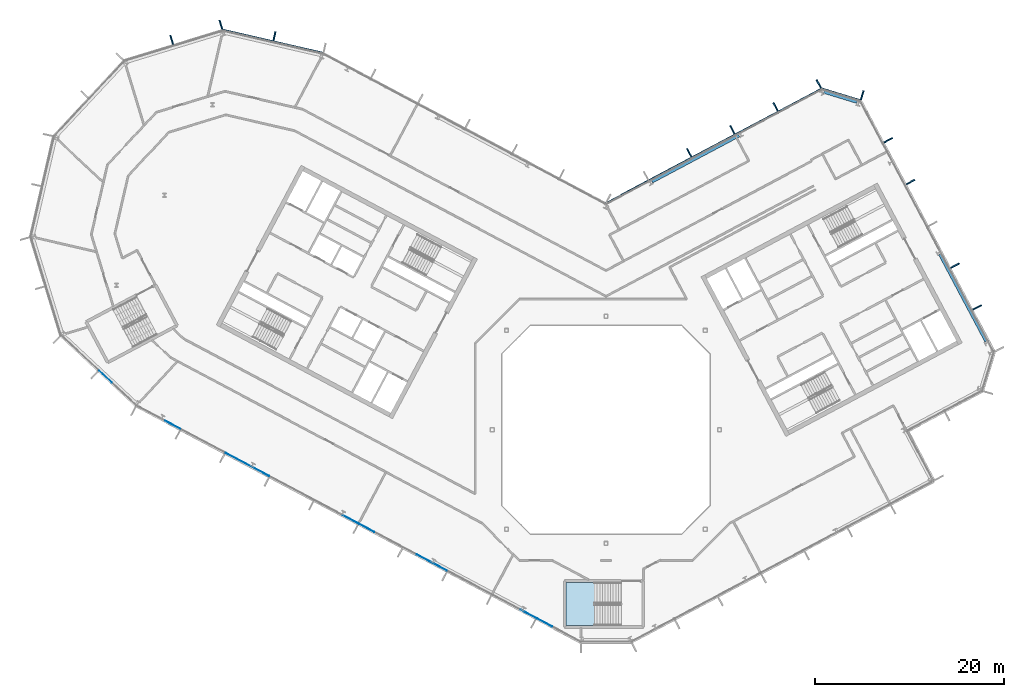
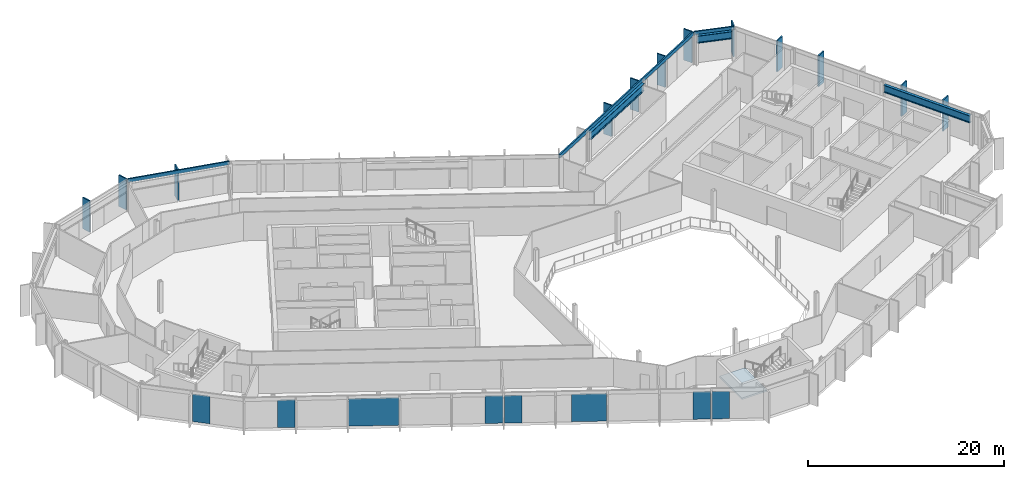
# One storey, part 10 of 25: 15 members, 8 plates, 3 beams, 1 slab, 8 elements without a shape of their own.
"""IFC4 building model written with IfcOpenShell, lengths in metres."""

from ifc_helpers import new_model, si_unit, direction, frame, origin, origin_2d, place, context, subcontext, project, spatial, polyline, rectangle, i_section, outline, extrude, material, layer, layer_set, material_profile, profile_set, type_object, element, aggregate, save


model = new_model("IFC4")

# Units and contexts
model_context = context("Model", 3, precision=1e-05, world=origin(), true_north=direction((0.0, 1.0)))
body_context = subcontext(model_context, "Body", "Model", "MODEL_VIEW")
ifc_project = project(units=[si_unit("LENGTHUNIT", "METRE"), si_unit("AREAUNIT", "SQUARE_METRE"), si_unit("VOLUMEUNIT", "CUBIC_METRE"), si_unit("PLANEANGLEUNIT", "RADIAN"), si_unit("MASSUNIT", "GRAM", prefix="KILO")], contexts=[model_context])

# Site, building, storey
site_placement = place(None, origin())
site = spatial("IfcSite", under=ifc_project, at=site_placement, CompositionType="ELEMENT")
building_placement = place(site_placement, origin())
building = spatial("IfcBuilding", under=site, at=building_placement, Name="Cormorant Relay Tower", CompositionType="ELEMENT")
storey_placement = place(building_placement, frame((0.0, 0.0, 289.199951171875)))
storey = spatial("IfcBuildingStorey", under=building, at=storey_placement, Name="L65", CompositionType="ELEMENT", Elevation=289.199951171875)

# Curtain wall, members
ifc_material_1 = material(Name="Aluminium 6063-T6 anodised bronze", Category="aluminium")
ifc_layer_1 = layer(ifc_material_1, 0.199951171875)
ifc_layer_set_1 = layer_set([ifc_layer_1], Name="CW1 unitised bronze curtain wall with vertical fins")
curtain_wall_type = type_object("IfcCurtainWallType", Name="CW1 unitised bronze curtain wall with vertical fins", PredefinedType="NOTDEFINED", material=ifc_layer_set_1)
curtain_wall_1_placement = place(storey_placement, origin())
curtain_wall_1 = element("IfcCurtainWall", 1, at=curtain_wall_1_placement, inside=storey, type_object=curtain_wall_type, Name="CW1 curtain wall 6", PredefinedType="NOTDEFINED")
ifc_material_2 = material(Name="Aluminium 6063-T6 anodised bronze", Category="aluminium")
ifc_material_profile_1 = material_profile(ifc_material_2, rectangle(XDim=0.14990234375, YDim=1.0, at=origin_2d()), Name="AL 150x1000")
ifc_profile_set_1 = profile_set([ifc_material_profile_1], Name="Aluminium 6063-T6 anodised bronze")
member_type_1 = type_object("IfcMemberType", Name="CW1 bronze fin mullion 150 x 1000", PredefinedType="MULLION", material=ifc_profile_set_1)
member_1_placement = place(storey_placement, frame((39.222412109375, 12.927001953125, 0.0), z_axis=(0.0, 0.0, 1.0), x_axis=(-0.469471562786, 0.882947592859, 0.0)))
member_1 = element("IfcMember", 2, at=member_1_placement, type_object=member_type_1, Name="CW1 fin 6.2", PredefinedType="MULLION", context=body_context, shape_type="SweptSolid", body=[
    extrude(rectangle(XDim=0.14990234375, YDim=1.0, at=origin_2d()), origin(), (0.0, 0.0, 1.0), 3.900146484375),
])
member_2_placement = place(storey_placement, frame((36.875, 17.341552734375, 0.0), z_axis=(0.0, 0.0, 1.0), x_axis=(-0.469471562786, 0.882947592859, 0.0)))
member_2 = element("IfcMember", 3, at=member_2_placement, type_object=member_type_1, Name="CW1 fin 6.3", PredefinedType="MULLION", context=body_context, shape_type="SweptSolid", body=[
    extrude(rectangle(XDim=0.14990234375, YDim=1.0, at=origin_2d()), origin(), (0.0, 0.0, 1.0), 3.900146484375),
])
member_3_placement = place(storey_placement, frame((32.18017578125, 26.171142578125, 0.0), z_axis=(0.0, 0.0, 1.0), x_axis=(-0.469471562786, 0.882947592859, 0.0)))
member_3 = element("IfcMember", 4, at=member_3_placement, type_object=member_type_1, Name="CW1 fin 6.5", PredefinedType="MULLION", context=body_context, shape_type="SweptSolid", body=[
    extrude(rectangle(XDim=0.14990234375, YDim=1.0, at=origin_2d()), origin(), (0.0, 0.0, 1.0), 3.900146484375),
])
member_4_placement = place(storey_placement, frame((29.832763671875, 30.585693359375, 0.0), z_axis=(0.0, 0.0, 1.0), x_axis=(-0.469471562786, 0.882947592859, 0.0)))
member_4 = element("IfcMember", 5, at=member_4_placement, type_object=member_type_1, Name="CW1 fin 6.6", PredefinedType="MULLION", context=body_context, shape_type="SweptSolid", body=[
    extrude(rectangle(XDim=0.14990234375, YDim=1.0, at=origin_2d()), origin(), (0.0, 0.0, 1.0), 3.900146484375),
])
aggregate(curtain_wall_1, [member_1, member_2, member_3, member_4])

# Curtain wall, member
curtain_wall_2_placement = place(storey_placement, origin())
curtain_wall_2 = element("IfcCurtainWall", 6, at=curtain_wall_2_placement, inside=storey, type_object=curtain_wall_type, Name="CW1 curtain wall 7", PredefinedType="NOTDEFINED")
member_5_placement = place(storey_placement, frame((27.072021484375, 35.34130859375, 0.0), z_axis=(0.0, 0.0, 1.0), x_axis=(-0.956304755963, 0.292371704723, 0.0)))
member_5 = element("IfcMember", 7, at=member_5_placement, type_object=member_type_1, Name="CW1 fin 7.1", PredefinedType="MULLION", context=body_context, shape_type="SweptSolid", body=[
    extrude(rectangle(XDim=0.14990234375, YDim=1.0, at=origin_2d()), origin(), (0.0, 0.0, 1.0), 3.900146484375),
])

# Curtain wall, members
curtain_wall_3_placement = place(storey_placement, origin())
curtain_wall_3 = element("IfcCurtainWall", 8, at=curtain_wall_3_placement, inside=storey, type_object=curtain_wall_type, Name="CW1 curtain wall 8", PredefinedType="NOTDEFINED")
member_6_placement = place(storey_placement, frame((22.4814453125, 36.530517578125, 0.0), z_axis=(0.0, 0.0, 1.0), x_axis=(-0.882947592859, -0.469471562786, 0.0)))
member_6 = element("IfcMember", 9, at=member_6_placement, type_object=member_type_1, Name="CW1 fin 8.1", PredefinedType="MULLION", context=body_context, shape_type="SweptSolid", body=[
    extrude(rectangle(XDim=0.14990234375, YDim=1.0, at=origin_2d()), origin(), (0.0, 0.0, 1.0), 3.900146484375),
])
member_7_placement = place(storey_placement, frame((17.91943359375, 34.104736328125, 0.0), z_axis=(0.0, 0.0, 1.0), x_axis=(-0.882947592859, -0.469471562786, 0.0)))
member_7 = element("IfcMember", 10, at=member_7_placement, type_object=member_type_1, Name="CW1 fin 8.2", PredefinedType="MULLION", context=body_context, shape_type="SweptSolid", body=[
    extrude(rectangle(XDim=0.14990234375, YDim=1.0, at=origin_2d()), origin(), (0.0, 0.0, 1.0), 3.900146484375),
])
member_8_placement = place(storey_placement, frame((13.357421875, 31.67919921875, 0.0), z_axis=(0.0, 0.0, 1.0), x_axis=(-0.882947592859, -0.469471562786, 0.0)))
member_8 = element("IfcMember", 11, at=member_8_placement, type_object=member_type_1, Name="CW1 fin 8.3", PredefinedType="MULLION", context=body_context, shape_type="SweptSolid", body=[
    extrude(rectangle(XDim=0.14990234375, YDim=1.0, at=origin_2d()), origin(), (0.0, 0.0, 1.0), 3.900146484375),
])
member_9_placement = place(storey_placement, frame((8.79541015625, 29.25341796875, 0.0), z_axis=(0.0, 0.0, 1.0), x_axis=(-0.882947592859, -0.469471562786, 0.0)))
member_9 = element("IfcMember", 12, at=member_9_placement, type_object=member_type_1, Name="CW1 fin 8.4", PredefinedType="MULLION", context=body_context, shape_type="SweptSolid", body=[
    extrude(rectangle(XDim=0.14990234375, YDim=1.0, at=origin_2d()), origin(), (0.0, 0.0, 1.0), 3.900146484375),
])

# Curtain wall, member
curtain_wall_4_placement = place(storey_placement, origin())
curtain_wall_4 = element("IfcCurtainWall", 13, at=curtain_wall_4_placement, inside=storey, type_object=curtain_wall_type, Name="CW1 curtain wall 10", PredefinedType="NOTDEFINED")
member_10_placement = place(storey_placement, frame((-35.01220703125, 41.57275390625, 0.0), z_axis=(0.0, 0.0, 1.0), x_axis=(-0.974370064785, 0.224951054344, 0.0)))
member_10 = element("IfcMember", 14, at=member_10_placement, type_object=member_type_1, Name="CW1 fin 10.2", PredefinedType="MULLION", context=body_context, shape_type="SweptSolid", body=[
    extrude(rectangle(XDim=0.14990234375, YDim=1.0, at=origin_2d()), origin(), (0.0, 0.0, 1.0), 3.900146484375),
])

# Curtain wall, members
curtain_wall_5_placement = place(storey_placement, origin())
curtain_wall_5 = element("IfcCurtainWall", 15, at=curtain_wall_5_placement, inside=storey, type_object=curtain_wall_type, Name="CW1 curtain wall 11", PredefinedType="NOTDEFINED")
member_11_placement = place(storey_placement, frame((-40.670166015625, 42.78271484375, 0.0), z_axis=(0.0, 0.0, 1.0), x_axis=(-0.956304755963, -0.292371704723, 0.0)))
member_11 = element("IfcMember", 16, at=member_11_placement, type_object=member_type_1, Name="CW1 fin 11.1", PredefinedType="MULLION", context=body_context, shape_type="SweptSolid", body=[
    extrude(rectangle(XDim=0.14990234375, YDim=1.0, at=origin_2d()), origin(), (0.0, 0.0, 1.0), 3.900146484375),
])
member_12_placement = place(storey_placement, frame((-45.867919921875, 41.193603515625, 0.0), z_axis=(0.0, 0.0, 1.0), x_axis=(-0.956304755963, -0.292371704723, 0.0)))
member_12 = element("IfcMember", 17, at=member_12_placement, type_object=member_type_1, Name="CW1 fin 11.2", PredefinedType="MULLION", context=body_context, shape_type="SweptSolid", body=[
    extrude(rectangle(XDim=0.14990234375, YDim=1.0, at=origin_2d()), origin(), (0.0, 0.0, 1.0), 3.900146484375),
])
aggregate(curtain_wall_5, [member_11, member_12])

# Member
ifc_material_3 = material(Name="Aluminium 6063-T6 anodised bronze", Category="aluminium")
ifc_material_profile_2 = material_profile(ifc_material_3, rectangle(XDim=0.159912109375, YDim=0.449951171875, at=origin_2d()), Name="AL 160x450")
ifc_profile_set_2 = profile_set([ifc_material_profile_2], Name="Aluminium 6063-T6 anodised bronze")
member_type_2 = type_object("IfcMemberType", Name="CW1 bronze transom 160 x 450", PredefinedType="USERDEFINED", material=ifc_profile_set_2)
member_13_placement = place(storey_placement, frame((26.902587890625, 34.78662109375, 3.675048828125), z_axis=(-0.956303761594, 0.292374957137, 0.0), x_axis=(-0.292374957137, -0.956303761594, 0.0)))
member_13 = element("IfcMember", 18, at=member_13_placement, type_object=member_type_2, Name="CW1 transom 7", ObjectType="TRANSOM", PredefinedType="USERDEFINED", context=body_context, shape_type="SweptSolid", body=[
    extrude(rectangle(XDim=0.159912109375, YDim=0.449951171875, at=origin_2d()), origin(), (0.0, 0.0, 1.0), 4.24267578125),
])

aggregate(curtain_wall_2, [member_5, member_13])

member_14_placement = place(storey_placement, frame((22.75390625, 36.018310546875, 3.675048828125), z_axis=(-0.882948156597, -0.469470502547, 0.0), x_axis=(0.469470502547, -0.882948156597, 0.0)))
member_14 = element("IfcMember", 19, at=member_14_placement, type_object=member_type_2, Name="CW1 transom 8", ObjectType="TRANSOM", PredefinedType="USERDEFINED", context=body_context, shape_type="SweptSolid", body=[
    extrude(rectangle(XDim=0.159912109375, YDim=0.449951171875, at=origin_2d()), origin(), (0.0, 0.0, 1.0), 25.834228515625),
])

aggregate(curtain_wall_3, [member_6, member_7, member_8, member_9, member_14])

member_15_placement = place(storey_placement, frame((-29.8466796875, 39.784912109375, 3.675048828125), z_axis=(-0.974365070969, 0.224972683844, 0.0), x_axis=(-0.224972683844, -0.974365070969, 0.0)))
member_15 = element("IfcMember", 20, at=member_15_placement, type_object=member_type_2, Name="CW1 transom 10", ObjectType="TRANSOM", PredefinedType="USERDEFINED", context=body_context, shape_type="SweptSolid", body=[
    extrude(rectangle(XDim=0.159912109375, YDim=0.449951171875, at=origin_2d()), origin(), (0.0, 0.0, 1.0), 10.870361328125),
])

aggregate(curtain_wall_4, [member_10, member_15])

# Beams
ifc_material_4 = material(Name="Steel ASTM A992 (Fy 345 MPa)", Category="steel")
ifc_material_profile_3 = material_profile(ifc_material_4, i_section(OverallWidth=0.307373046875, OverallDepth=0.927001953125, WebThickness=0.019287109375, FlangeThickness=0.031982421875, FilletRadius=0.01904296875, at=origin_2d()), Name="W920x289")
ifc_profile_set_3 = profile_set([ifc_material_profile_3], Name="Steel ASTM A992 (Fy 345 MPa)")
beam_type = type_object("IfcBeamType", Name="Spandrel W920x289", PredefinedType="SPANDREL", material=ifc_profile_set_3)
beam_1_placement = place(storey_placement, frame((40.1591796875, 9.3466796875, 3.07666015625), z_axis=(-0.469474391681, 0.882946088703, 0.0), x_axis=(-0.882946088703, -0.469474391681, 0.0)))
element("IfcBeam", 21, at=beam_1_placement, inside=storey, type_object=beam_type, Name="Spandrel beam L65-006", PredefinedType="SPANDREL", context=body_context, shape_type="SweptSolid", body=[
    extrude(i_section(OverallWidth=0.307373046875, OverallDepth=0.927001953125, WebThickness=0.019287109375, FlangeThickness=0.031982421875, FilletRadius=0.01904296875, at=origin_2d()), origin(), (0.0, 0.0, 1.0), 10.401611328125),
])
beam_2_placement = place(storey_placement, frame((26.512451171875, 34.619873046875, 3.07666015625), z_axis=(-0.956313678807, 0.292342517821, 0.0), x_axis=(-0.292342517821, -0.956313678807, 0.0)))
element("IfcBeam", 22, at=beam_2_placement, inside=storey, type_object=beam_type, Name="Spandrel beam L65-007", PredefinedType="SPANDREL", context=body_context, shape_type="SweptSolid", body=[
    extrude(i_section(OverallWidth=0.307373046875, OverallDepth=0.927001953125, WebThickness=0.019287109375, FlangeThickness=0.031982421875, FilletRadius=0.01904296875, at=origin_2d()), origin(), (0.0, 0.0, 1.0), 3.65185546875),
])
beam_3_placement = place(storey_placement, frame((14.05322265625, 31.082275390625, 3.07666015625), z_axis=(-0.882950644937, -0.469465822617, 0.0), x_axis=(0.469465822617, -0.882950644937, 0.0)))
element("IfcBeam", 23, at=beam_3_placement, inside=storey, type_object=beam_type, Name="Spandrel beam L65-008", PredefinedType="SPANDREL", context=body_context, shape_type="SweptSolid", body=[
    extrude(i_section(OverallWidth=0.307373046875, OverallDepth=0.927001953125, WebThickness=0.019287109375, FlangeThickness=0.031982421875, FilletRadius=0.01904296875, at=origin_2d()), origin(), (0.0, 0.0, 1.0), 10.4013671875),
])

# Curtain wall, plate
curtain_wall_6_placement = place(storey_placement, origin())
curtain_wall_6 = element("IfcCurtainWall", 24, at=curtain_wall_6_placement, inside=storey, type_object=curtain_wall_type, Name="CW1 curtain wall 15", PredefinedType="NOTDEFINED")
ifc_material_5 = material(Name="Tinted laminated glass", Category="glass")
ifc_layer_2 = layer(ifc_material_5, 0.0400390625)
ifc_layer_set_2 = layer_set([ifc_layer_2], Name="CW1 tinted vision panel 1800 module")
plate_type_1 = type_object("IfcPlateType", Name="CW1 tinted vision panel 1800 module", PredefinedType="CURTAIN_PANEL", material=ifc_layer_set_2)
plate_1_placement = place(storey_placement, frame((-52.8671875, 5.611572265625, 0.0), z_axis=(0.0, 0.0, 1.0), x_axis=(0.731353701619, -0.681998360062, 0.0)))
plate_1 = element("IfcPlate", 25, at=plate_1_placement, type_object=plate_type_1, Name="CW1 panel V01", PredefinedType="CURTAIN_PANEL", context=body_context, shape_type="SweptSolid", body=[
    extrude(rectangle(XDim=1.800048828125, YDim=0.0400390625, at=origin_2d()), origin(), (0.0, 0.0, 1.0), 3.449951171875),
])
aggregate(curtain_wall_6, [plate_1])

# Curtain wall, plates
curtain_wall_7_placement = place(storey_placement, origin())
curtain_wall_7 = element("IfcCurtainWall", 26, at=curtain_wall_7_placement, inside=storey, type_object=curtain_wall_type, Name="CW1 curtain wall 16", PredefinedType="NOTDEFINED")
plate_2_placement = place(storey_placement, frame((-45.767578125, 0.5283203125, 0.0), z_axis=(0.0, 0.0, 1.0), x_axis=(0.882947592859, -0.469471562786, 0.0)))
plate_2 = element("IfcPlate", 27, at=plate_2_placement, type_object=plate_type_1, Name="CW1 panel V01", PredefinedType="CURTAIN_PANEL", context=body_context, shape_type="SweptSolid", body=[
    extrude(rectangle(XDim=1.800048828125, YDim=0.0400390625, at=origin_2d()), origin(), (0.0, 0.0, 1.0), 3.449951171875),
])
plate_3_placement = place(storey_placement, frame((-26.990478515625, -9.45556640625, 0.0), z_axis=(0.0, 0.0, 1.0), x_axis=(0.882947592859, -0.469471562786, 0.0)))
plate_3 = element("IfcPlate", 28, at=plate_3_placement, type_object=plate_type_1, Name="CW1 panel V05", PredefinedType="CURTAIN_PANEL", context=body_context, shape_type="SweptSolid", body=[
    extrude(rectangle(XDim=1.800048828125, YDim=0.0400390625, at=origin_2d()), origin(), (0.0, 0.0, 1.0), 3.449951171875),
])
plate_4_placement = place(storey_placement, frame((-25.268798828125, -10.37109375, 0.0), z_axis=(0.0, 0.0, 1.0), x_axis=(0.882947592859, -0.469471562786, 0.0)))
plate_4 = element("IfcPlate", 29, at=plate_4_placement, type_object=plate_type_1, Name="CW1 panel V06", PredefinedType="CURTAIN_PANEL", context=body_context, shape_type="SweptSolid", body=[
    extrude(rectangle(XDim=1.800048828125, YDim=0.0400390625, at=origin_2d()), origin(), (0.0, 0.0, 1.0), 3.449951171875),
])
plate_5_placement = place(storey_placement, frame((-8.21337890625, -19.439453125, 0.0), z_axis=(0.0, 0.0, 1.0), x_axis=(0.882947592859, -0.469471562786, 0.0)))
plate_5 = element("IfcPlate", 30, at=plate_5_placement, type_object=plate_type_1, Name="CW1 panel V10", PredefinedType="CURTAIN_PANEL", context=body_context, shape_type="SweptSolid", body=[
    extrude(rectangle(XDim=1.800048828125, YDim=0.0400390625, at=origin_2d()), origin(), (0.0, 0.0, 1.0), 3.449951171875),
])
plate_6_placement = place(storey_placement, frame((-6.49169921875, -20.35498046875, 0.0), z_axis=(0.0, 0.0, 1.0), x_axis=(0.882947592859, -0.469471562786, 0.0)))
plate_6 = element("IfcPlate", 31, at=plate_6_placement, type_object=plate_type_1, Name="CW1 panel V11", PredefinedType="CURTAIN_PANEL", context=body_context, shape_type="SweptSolid", body=[
    extrude(rectangle(XDim=1.800048828125, YDim=0.0400390625, at=origin_2d()), origin(), (0.0, 0.0, 1.0), 3.449951171875),
])
ifc_material_6 = material(Name="Tinted laminated glass", Category="glass")
ifc_layer_3 = layer(ifc_material_6, 0.0400390625)
ifc_layer_set_3 = layer_set([ifc_layer_3], Name="CW1 tinted vision panel 3600 module")
plate_type_2 = type_object("IfcPlateType", Name="CW1 tinted vision panel 3600 module", PredefinedType="CURTAIN_PANEL", material=ifc_layer_set_3)
plate_7_placement = place(storey_placement, frame((-18.396484375, -14.02490234375, 0.0), z_axis=(0.0, 0.0, 1.0), x_axis=(0.882947592859, -0.469471562786, 0.0)))
plate_7 = element("IfcPlate", 32, at=plate_7_placement, type_object=plate_type_2, Name="CW1 panel V08", PredefinedType="CURTAIN_PANEL", context=body_context, shape_type="SweptSolid", body=[
    extrude(rectangle(XDim=3.60009765625, YDim=0.0400390625, at=origin_2d()), origin(), (0.0, 0.0, 1.0), 3.449951171875),
])
ifc_material_7 = material(Name="Tinted laminated glass", Category="glass")
ifc_layer_4 = layer(ifc_material_7, 0.0400390625)
ifc_layer_set_4 = layer_set([ifc_layer_4], Name="CW1 tinted vision panel 5400 module")
plate_type_3 = type_object("IfcPlateType", Name="CW1 tinted vision panel 5400 module", PredefinedType="CURTAIN_PANEL", material=ifc_layer_set_4)
plate_8_placement = place(storey_placement, frame((-37.865234375, -3.67333984375, 0.0), z_axis=(0.0, 0.0, 1.0), x_axis=(0.882947592859, -0.469471562786, 0.0)))
plate_8 = element("IfcPlate", 33, at=plate_8_placement, type_object=plate_type_3, Name="CW1 panel V03", PredefinedType="CURTAIN_PANEL", context=body_context, shape_type="SweptSolid", body=[
    extrude(rectangle(XDim=5.16650390625, YDim=0.0400390625, at=origin_2d()), origin(), (0.0, 0.0, 1.0), 3.449951171875),
])
aggregate(curtain_wall_7, [plate_2, plate_8, plate_3, plate_4, plate_7, plate_5, plate_6])

# Stair, slab
ifc_material_8 = material(Name="Concrete 40 MPa", Category="concrete")
stair_type = type_object("IfcStairType", Name="Remote exit stair 2200", PredefinedType="HALF_TURN_STAIR", material=ifc_material_8)
stair_placement = place(storey_placement, origin())
stair = element("IfcStair", 34, at=stair_placement, inside=storey, type_object=stair_type, Name="L65 Stair", PredefinedType="HALF_TURN_STAIR")
ifc_material_9 = material(Name="Concrete 40 MPa", Category="concrete")
ifc_layer_5 = layer(ifc_material_9, 0.199951171875)
ifc_layer_set_5 = layer_set([ifc_layer_5], Name="Exit stair landing 200")
slab_type = type_object("IfcSlabType", Name="Exit stair landing 200", PredefinedType="LANDING", material=ifc_layer_set_5)
slab_placement = place(storey_placement, frame((0.0, 0.0, 1.75)))
slab = element("IfcSlab", 35, at=slab_placement, type_object=slab_type, Name="RK1 landing 1", PredefinedType="LANDING", context=body_context, shape_type="SweptSolid", body=[
    extrude(outline(polyline([(-1.199951171875, -16.125), (-4.199951171875, -16.125), (-4.199951171875, -20.675048828125), (-1.199951171875, -20.675048828125), (-1.199951171875, -16.125)])), origin(), (0.0, 0.0, 1.0), 0.199951171875),
])
aggregate(stair, [slab])

save(model, "model.ifc")
